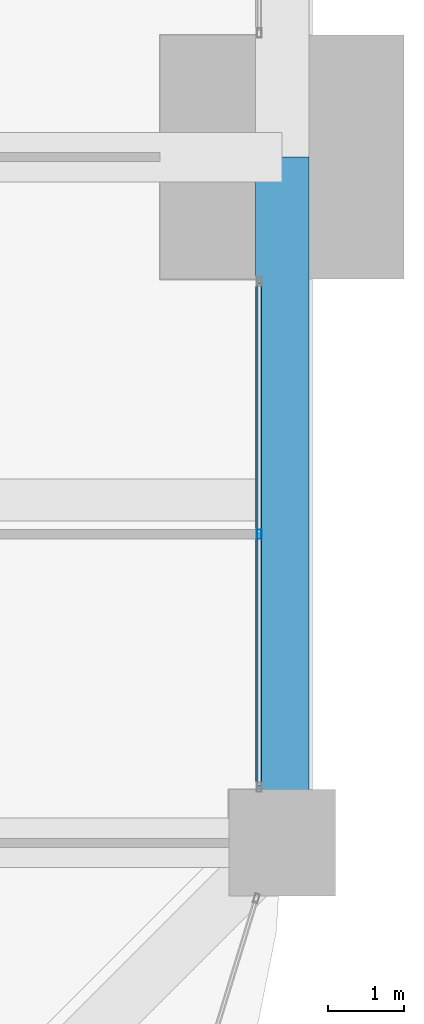
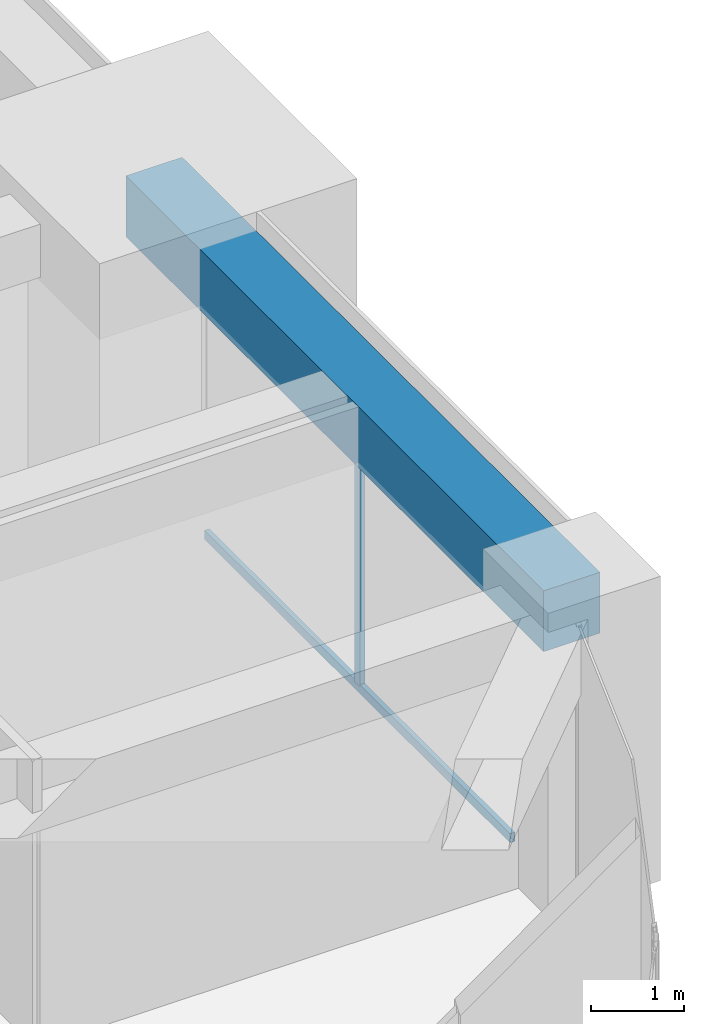
# One storey, part 22 of 43: 2 members, 1 beam, 1 element without a shape of its own.
"""IFC4 building model written with IfcOpenShell, lengths in metres."""

from ifc_helpers import new_model, si_unit, direction, frame, origin, origin_2d, place, context, subcontext, project, spatial, rectangle, hollow_rectangle, extrude, material, material_profile, profile_set, type_object, element, aggregate, save


model = new_model("IFC4")

# Units and contexts
model_context = context("Model", 3, precision=1e-05, world=origin(), true_north=direction((0.0, 1.0)))
body_context = subcontext(model_context, "Body", "Model", "MODEL_VIEW")
ifc_project = project(units=[si_unit("LENGTHUNIT", "METRE"), si_unit("AREAUNIT", "SQUARE_METRE"), si_unit("VOLUMEUNIT", "CUBIC_METRE"), si_unit("PLANEANGLEUNIT", "RADIAN"), si_unit("MASSUNIT", "GRAM", prefix="KILO")], contexts=[model_context])

# Site, building, storey
site_placement = place(None, origin())
site = spatial("IfcSite", under=ifc_project, at=site_placement, CompositionType="ELEMENT")
building_placement = place(site_placement, origin())
building = spatial("IfcBuilding", under=site, at=building_placement, Name="Zorevar Civic Tower", CompositionType="ELEMENT")
storey_placement = place(building_placement, frame((0.0, 0.0, 243.39990234375)))
storey = spatial("IfcBuildingStorey", under=building, at=storey_placement, Name="L59", CompositionType="ELEMENT", Elevation=243.39990234375)

# Curtain wall, members
ifc_material_1 = material(Name="Dark grey solar-control glass in black aluminium frame", Category="aluminium")
curtain_wall_type = type_object("IfcCurtainWallType", Name="Curtain wall CW5 top zone", PredefinedType="NOTDEFINED", material=ifc_material_1)
curtain_wall_placement = place(storey_placement, origin())
curtain_wall = element("IfcCurtainWall", 1, at=curtain_wall_placement, inside=storey, type_object=curtain_wall_type, Name="CW5 L59", PredefinedType="NOTDEFINED")
ifc_material_2 = material(Name="Aluminium, black anodised", Category="aluminium")
ifc_material_profile_1 = material_profile(ifc_material_2, hollow_rectangle(XDim=0.06005859375, YDim=0.1201171875, WallThickness=0.0029296875, at=origin_2d()), Name="AL 120x60x3")
ifc_profile_set_1 = profile_set([ifc_material_profile_1], Name="Aluminium, black anodised")
member_type_1 = type_object("IfcMemberType", Name="CW5 mullion AL 120x60x3", PredefinedType="MULLION", material=ifc_profile_set_1)
member_1_placement = place(storey_placement, frame((53.699951171875, 13.050048828125, 0.06005859375), z_axis=(0.0, 0.0, 1.0), x_axis=(-1.0, 0.0, 0.0)))
member_1 = element("IfcMember", 2, at=member_1_placement, type_object=member_type_1, Name="CW5 mullion 2", PredefinedType="MULLION", context=body_context, shape_type="SweptSolid", body=[
    extrude(hollow_rectangle(XDim=0.06005859375, YDim=0.1201171875, WallThickness=0.0029296875, at=origin_2d()), origin(), (0.0, 0.0, 1.0), 2.89013671875),
])
ifc_material_3 = material(Name="Aluminium, black anodised", Category="aluminium")
ifc_material_profile_2 = material_profile(ifc_material_3, hollow_rectangle(XDim=0.06005859375, YDim=0.1201171875, WallThickness=0.0029296875, at=origin_2d()), Name="AL 120x60x3")
ifc_profile_set_2 = profile_set([ifc_material_profile_2], Name="Aluminium, black anodised")
member_type_2 = type_object("IfcMemberType", Name="CW5 transom AL 120x60x3", PredefinedType="USERDEFINED", material=ifc_profile_set_2)
member_2_placement = place(storey_placement, frame((53.699951171875, 9.760009765625, 0.030029296875), z_axis=(0.0, 1.0, 0.0), x_axis=(-1.0, 0.0, 0.0)))
member_2 = element("IfcMember", 3, at=member_2_placement, type_object=member_type_2, Name="CW5 sill transom", ObjectType="TRANSOM", PredefinedType="USERDEFINED", context=body_context, shape_type="SweptSolid", body=[
    extrude(hollow_rectangle(XDim=0.06005859375, YDim=0.1201171875, WallThickness=0.0029296875, at=origin_2d()), origin(), (0.0, 0.0, 1.0), 6.580078125),
])
aggregate(curtain_wall, [member_1, member_2])

# Beam
ifc_material_4 = material(Name="Concrete C50/60", Category="concrete")
ifc_material_profile_3 = material_profile(ifc_material_4, rectangle(XDim=0.699951171875, YDim=0.800048828125, at=origin_2d()), Name="RC 700x800")
ifc_profile_set_3 = profile_set([ifc_material_profile_3], Name="Concrete C50/60")
beam_type = type_object("IfcBeamType", Name="Edge beam RC 700x800", PredefinedType="SPANDREL", material=ifc_profile_set_3)
beam_placement = place(storey_placement, frame((54.0, 9.0, 3.35009765625), z_axis=(0.0, 1.0, 0.0), x_axis=(-1.0, 0.0, 0.0)))
element("IfcBeam", 4, at=beam_placement, inside=storey, type_object=beam_type, Name="Edge beam L60", PredefinedType="SPANDREL", context=body_context, shape_type="SweptSolid", body=[
    extrude(rectangle(XDim=0.699951171875, YDim=0.800048828125, at=origin_2d()), origin(), (0.0, 0.0, 1.0), 9.0),
])

save(model, "model.ifc")
